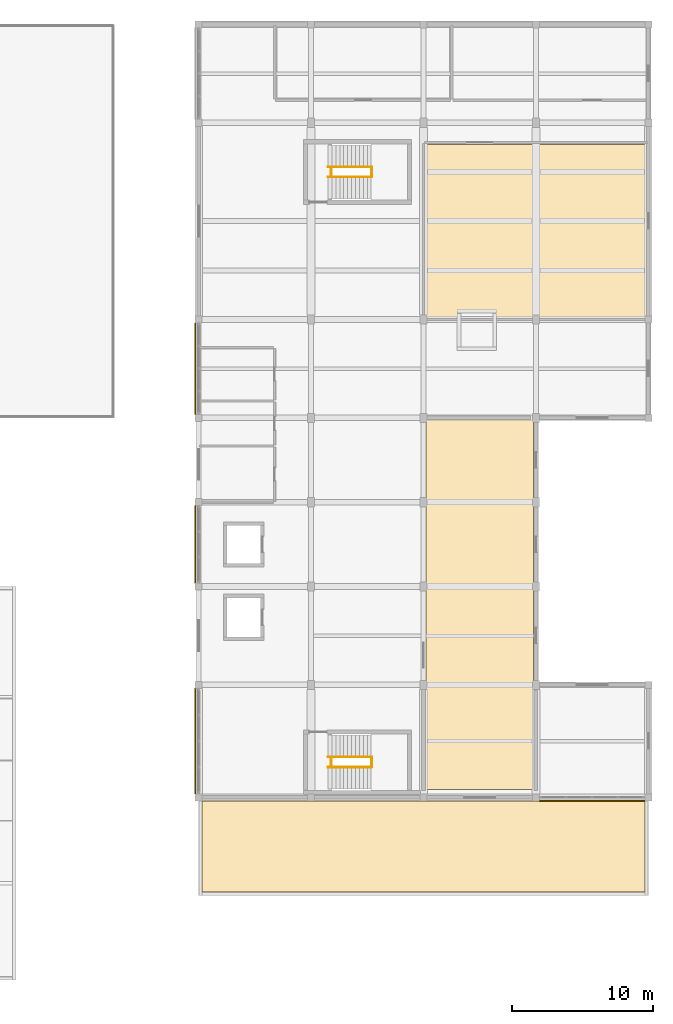
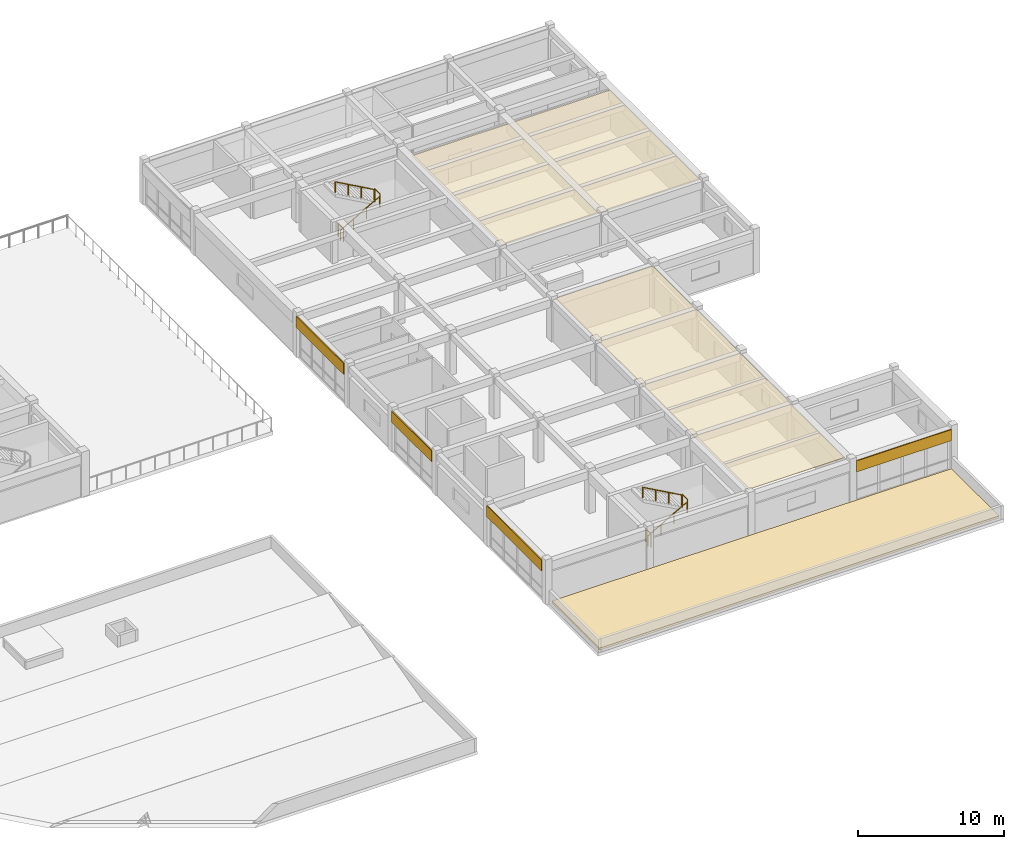
# One storey, part 21 of 22: 8 railings, 7 coverings.
"""IFC4 building model written with IfcOpenShell, lengths in metres."""

from ifc_helpers import new_model, si_unit, direction, frame, origin, origin_2d, place, context, subcontext, project, spatial, polyline, rectangle, circle, outline, extrude, material, layer, layer_set, type_object, element, save


model = new_model("IFC4")

# Units and contexts
model_context = context("Model", 3, precision=1e-05, world=origin(), true_north=direction((0.0, 1.0)))
body_context = subcontext(model_context, "Body", "Model", "MODEL_VIEW")
ifc_project = project(units=[si_unit("LENGTHUNIT", "METRE"), si_unit("AREAUNIT", "SQUARE_METRE"), si_unit("VOLUMEUNIT", "CUBIC_METRE"), si_unit("PLANEANGLEUNIT", "RADIAN"), si_unit("MASSUNIT", "GRAM", prefix="KILO")], contexts=[model_context])

# Site, building, storey
site_placement = place(None, origin())
site = spatial("IfcSite", under=ifc_project, at=site_placement, CompositionType="ELEMENT")
building_placement = place(site_placement, origin())
building = spatial("IfcBuilding", under=site, at=building_placement, Name="Naurynzar Civic Courthouse", CompositionType="ELEMENT")
storey_placement = place(building_placement, frame((0.0, 0.0, 25.800048828125)))
storey = spatial("IfcBuildingStorey", under=building, at=storey_placement, Name="L07", CompositionType="ELEMENT", Elevation=25.800048828125)

# Coverings
ifc_material_1 = material(Name="Acoustic Oak Timber Grade A", Category="wood")
ifc_layer_1 = layer(ifc_material_1, 0.044921875)
ifc_layer_set_1 = layer_set([ifc_layer_1], Name="CEIL-ACOUSTIC-OAK-45")
covering_type_1 = type_object("IfcCoveringType", Name="CEIL-ACOUSTIC-OAK-45", PredefinedType="CEILING", material=ifc_layer_set_1)
covering_1_placement = place(storey_placement, frame((0.0, 0.0, 3.364990234375)))
element("IfcCovering", 1, at=covering_1_placement, inside=storey, type_object=covering_type_1, Name="Acoustic suspended ceiling Criminal Appellate Courtroom 7A", PredefinedType="CEILING", context=body_context, shape_type="SweptSolid", body=[
    extrude(outline(polyline([(146.159912109375, 43.840087890625), (153.840087890625, 43.840087890625), (153.840087890625, 17.56005859375), (146.159912109375, 17.56005859375), (146.159912109375, 43.840087890625)])), origin(), (0.0, 0.0, 1.0), 0.044921875),
])
covering_2_placement = place(storey_placement, frame((0.0, 0.0, 3.364990234375)))
element("IfcCovering", 2, at=covering_2_placement, inside=storey, type_object=covering_type_1, Name="Acoustic suspended ceiling Special Jurisdiction Courtroom 7B", PredefinedType="CEILING", context=body_context, shape_type="SweptSolid", body=[
    extrude(outline(polyline([(146.159912109375, 63.43994140625), (161.840087890625, 63.43994140625), (161.840087890625, 51.159912109375), (146.159912109375, 51.159912109375), (146.159912109375, 63.43994140625)])), origin(), (0.0, 0.0, 1.0), 0.044921875),
])
ifc_material_2 = material(Name="Precast concrete C40/50", Category="concrete")
ifc_layer_2 = layer(ifc_material_2, 0.080078125)
ifc_layer_set_2 = layer_set([ifc_layer_2], Name="COV-CLAD-PRECAST-80")
covering_type_2 = type_object("IfcCoveringType", Name="COV-CLAD-PRECAST-80", PredefinedType="CLADDING", material=ifc_layer_set_2)
covering_3_placement = place(storey_placement, frame((129.7451171875, 21.0, 2.550048828125), z_axis=(0.0, 0.0, 1.0), x_axis=(0.0, 1.0, 0.0)))
element("IfcCovering", 3, at=covering_3_placement, inside=storey, type_object=covering_type_2, Name="V5 precast spandrel cladding 112", PredefinedType="CLADDING", context=body_context, shape_type="SweptSolid", body=[
    extrude(rectangle(XDim=7.5, YDim=0.080078125, at=origin_2d()), origin(), (0.0, 0.0, 1.0), 0.919921875),
])
covering_4_placement = place(storey_placement, frame((129.7451171875, 35.0, 2.550048828125), z_axis=(0.0, 0.0, 1.0), x_axis=(0.0, 1.0, 0.0)))
element("IfcCovering", 4, at=covering_4_placement, inside=storey, type_object=covering_type_2, Name="V5 precast spandrel cladding 113", PredefinedType="CLADDING", context=body_context, shape_type="SweptSolid", body=[
    extrude(rectangle(XDim=5.5, YDim=0.080078125, at=origin_2d()), origin(), (0.0, 0.0, 1.0), 0.919921875),
])
covering_5_placement = place(storey_placement, frame((129.7451171875, 47.5, 2.550048828125), z_axis=(0.0, 0.0, 1.0), x_axis=(0.0, 1.0, 0.0)))
element("IfcCovering", 5, at=covering_5_placement, inside=storey, type_object=covering_type_2, Name="V5 precast spandrel cladding 114", PredefinedType="CLADDING", context=body_context, shape_type="SweptSolid", body=[
    extrude(rectangle(XDim=6.5, YDim=0.080078125, at=origin_2d()), origin(), (0.0, 0.0, 1.0), 0.919921875),
])
covering_6_placement = place(storey_placement, frame((158.0, 16.7451171875, 2.550048828125), z_axis=(0.0, 0.0, 1.0), x_axis=(-1.0, 0.0, 0.0)))
element("IfcCovering", 6, at=covering_6_placement, inside=storey, type_object=covering_type_2, Name="V5 precast spandrel cladding 116", PredefinedType="CLADDING", context=body_context, shape_type="SweptSolid", body=[
    extrude(rectangle(XDim=7.5, YDim=0.080078125, at=origin_2d()), origin(), (0.0, 0.0, 1.0), 0.919921875),
])
ifc_material_3 = material(Name="Waterproofing Membrane and Rigid Insulation")
ifc_layer_3 = layer(ifc_material_3, 0.179931640625)
ifc_layer_set_3 = layer_set([ifc_layer_3], Name="COV-ROOF-MEMB-180")
covering_type_3 = type_object("IfcCoveringType", Name="COV-ROOF-MEMB-180", PredefinedType="ROOFING", material=ifc_layer_set_3)
covering_7_placement = place(storey_placement, origin())
element("IfcCovering", 7, at=covering_7_placement, inside=storey, type_object=covering_type_3, Name="Insulated roof waterproofing membrane RM-V5-S7", PredefinedType="ROOFING", context=body_context, shape_type="SweptSolid", body=[
    extrude(outline(polyline([(130.25, 10.25), (161.75, 10.25), (161.75, 16.75), (130.25, 16.75), (130.25, 10.25)])), origin(), (0.0, 0.0, 1.0), 0.179931640625),
])

# Railings
ifc_material_4 = material(Name="Brushed Stainless Steel 304", Category="steel")
railing_type_1 = type_object("IfcRailingType", Name="RAIL-BAL-1100", PredefinedType="BALUSTRADE", material=ifc_material_4)
for number, where, name in (
    (8, (139.43994140625, 19.139892578125, 0.0), "Stair ST-V5A floor well slot guard L07"),
    (9, (142.320068359375, 19.139892578125, 1.875), "Stair ST-V5A-L07 half-landing well guard"),
    (10, (139.43994140625, 61.139892578125, 0.0), "Stair ST-V5B floor well slot guard L07"),
    (11, (142.320068359375, 61.139892578125, 1.875), "Stair ST-V5B-L07 half-landing well guard"),
):
    element("IfcRailing", number, at=place(storey_placement, frame(where)), inside=storey, type_object=railing_type_1, Name=name, PredefinedType="BALUSTRADE", context=body_context, shape_type="SweptSolid", body=[
        extrude(circle(Radius=0.02392578125, at=origin_2d()), frame((0.0, 0.0, 1.09619140625), z_axis=(0.0, 1.0, 0.0), x_axis=(-1.0, 0.0, 0.0)), (0.0, 0.0, 1.0), 0.72021484375),
        extrude(circle(Radius=0.02099609375, at=origin_2d()), origin(), (0.0, 0.0, 1.0), 1.072021484375),
        extrude(circle(Radius=0.02099609375, at=origin_2d()), frame((0.0, 0.72021484375, 0.0)), (0.0, 0.0, 1.0), 1.072021484375),
    ])
ifc_material_5 = material(Name="Brushed Stainless Steel 304", Category="steel")
railing_type_2 = type_object("IfcRailingType", Name="RAIL-HR-900", PredefinedType="HANDRAIL", material=ifc_material_5)
railing_1_placement = place(storey_placement, frame((139.199951171875, 19.139892578125, 0.15625)))
element("IfcRailing", 12, at=railing_1_placement, inside=storey, type_object=railing_type_2, Name="Stair ST-V5A-L07 flight 1 handrail", PredefinedType="HANDRAIL", context=body_context, shape_type="SweptSolid", body=[
    extrude(circle(Radius=0.02392578125, at=origin_2d()), frame((0.0, 0.0, 0.8759765625), z_axis=(0.873241540666, 0.0, 0.487287606713), x_axis=(0.0, 1.0, 0.0)), (0.0, 0.0, 1.0), 3.527099609375),
    extrude(circle(Radius=0.02099609375, at=origin_2d()), origin(), (0.0, 0.0, 1.0), 0.851806640625),
    extrude(circle(Radius=0.02099609375, at=origin_2d()), frame((1.026611328125, 0.0, 0.572998046875)), (0.0, 0.0, 1.0), 0.851806640625),
    extrude(circle(Radius=0.02099609375, at=origin_2d()), frame((2.053466796875, 0.0, 1.145751953125)), (0.0, 0.0, 1.0), 0.851806640625),
    extrude(circle(Radius=0.02099609375, at=origin_2d()), frame((3.080078125, 0.0, 1.71875)), (0.0, 0.0, 1.0), 0.851806640625),
])
railing_2_placement = place(storey_placement, frame((142.280029296875, 19.860107421875, 2.03125)))
element("IfcRailing", 13, at=railing_2_placement, inside=storey, type_object=railing_type_2, Name="Stair ST-V5A-L07 flight 2 handrail", PredefinedType="HANDRAIL", context=body_context, shape_type="SweptSolid", body=[
    extrude(circle(Radius=0.02392578125, at=origin_2d()), frame((0.0, 0.0, 0.8759765625), z_axis=(-0.873241540666, 0.0, 0.487287606713), x_axis=(0.0, -1.0, 0.0)), (0.0, 0.0, 1.0), 3.527099609375),
    extrude(circle(Radius=0.02099609375, at=origin_2d()), origin(), (0.0, 0.0, 1.0), 0.851806640625),
    extrude(circle(Radius=0.02099609375, at=origin_2d()), frame((-1.026611328125, 0.0, 0.572998046875)), (0.0, 0.0, 1.0), 0.851806640625),
    extrude(circle(Radius=0.02099609375, at=origin_2d()), frame((-2.053466796875, 0.0, 1.145751953125)), (0.0, 0.0, 1.0), 0.851806640625),
    extrude(circle(Radius=0.02099609375, at=origin_2d()), frame((-3.080078125, 0.0, 1.71875)), (0.0, 0.0, 1.0), 0.851806640625),
])
railing_3_placement = place(storey_placement, frame((139.199951171875, 61.139892578125, 0.15625)))
element("IfcRailing", 14, at=railing_3_placement, inside=storey, type_object=railing_type_2, Name="Stair ST-V5B-L07 flight 1 handrail", PredefinedType="HANDRAIL", context=body_context, shape_type="SweptSolid", body=[
    extrude(circle(Radius=0.02392578125, at=origin_2d()), frame((0.0, 0.0, 0.8759765625), z_axis=(0.873241540666, 0.0, 0.487287606713), x_axis=(0.0, 1.0, 0.0)), (0.0, 0.0, 1.0), 3.527099609375),
    extrude(circle(Radius=0.02099609375, at=origin_2d()), origin(), (0.0, 0.0, 1.0), 0.851806640625),
    extrude(circle(Radius=0.02099609375, at=origin_2d()), frame((1.026611328125, 0.0, 0.572998046875)), (0.0, 0.0, 1.0), 0.851806640625),
    extrude(circle(Radius=0.02099609375, at=origin_2d()), frame((2.053466796875, 0.0, 1.145751953125)), (0.0, 0.0, 1.0), 0.851806640625),
    extrude(circle(Radius=0.02099609375, at=origin_2d()), frame((3.080078125, 0.0, 1.71875)), (0.0, 0.0, 1.0), 0.851806640625),
])
railing_4_placement = place(storey_placement, frame((142.280029296875, 61.860107421875, 2.03125)))
element("IfcRailing", 15, at=railing_4_placement, inside=storey, type_object=railing_type_2, Name="Stair ST-V5B-L07 flight 2 handrail", PredefinedType="HANDRAIL", context=body_context, shape_type="SweptSolid", body=[
    extrude(circle(Radius=0.02392578125, at=origin_2d()), frame((0.0, 0.0, 0.8759765625), z_axis=(-0.873241540666, 0.0, 0.487287606713), x_axis=(0.0, -1.0, 0.0)), (0.0, 0.0, 1.0), 3.527099609375),
    extrude(circle(Radius=0.02099609375, at=origin_2d()), origin(), (0.0, 0.0, 1.0), 0.851806640625),
    extrude(circle(Radius=0.02099609375, at=origin_2d()), frame((-1.026611328125, 0.0, 0.572998046875)), (0.0, 0.0, 1.0), 0.851806640625),
    extrude(circle(Radius=0.02099609375, at=origin_2d()), frame((-2.053466796875, 0.0, 1.145751953125)), (0.0, 0.0, 1.0), 0.851806640625),
    extrude(circle(Radius=0.02099609375, at=origin_2d()), frame((-3.080078125, 0.0, 1.71875)), (0.0, 0.0, 1.0), 0.851806640625),
])

save(model, "model.ifc")
